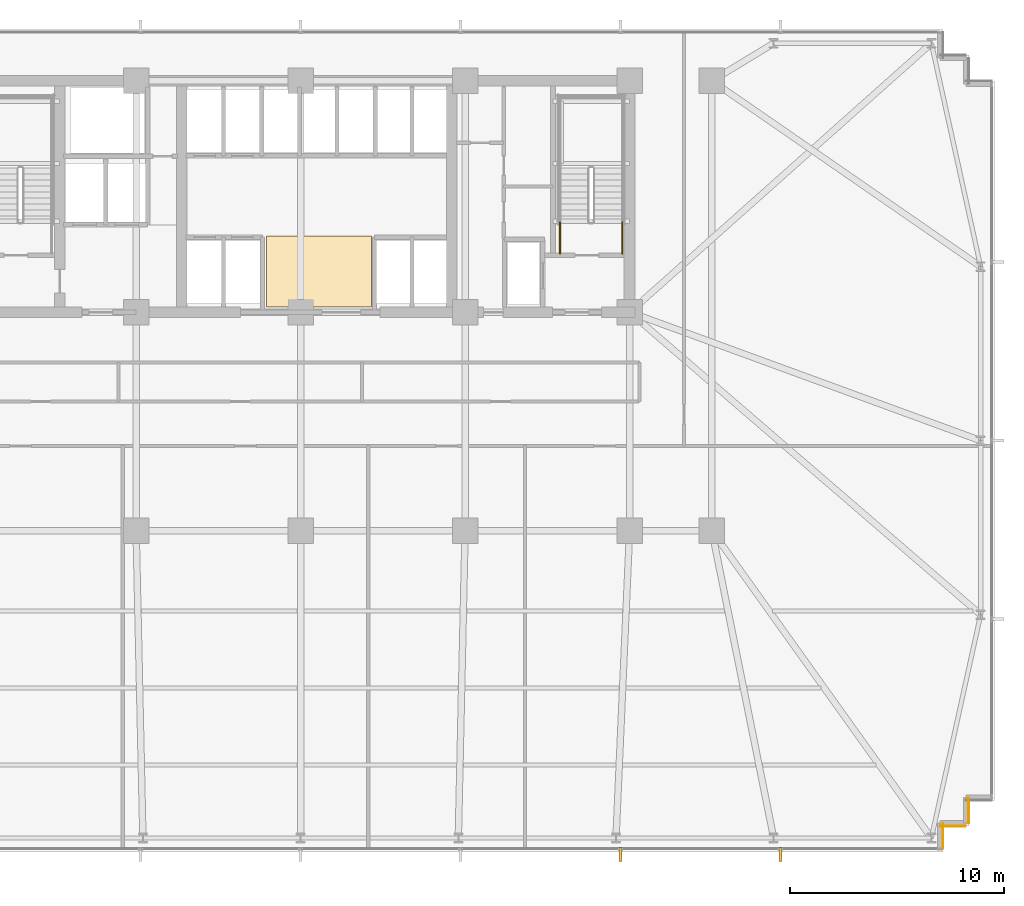
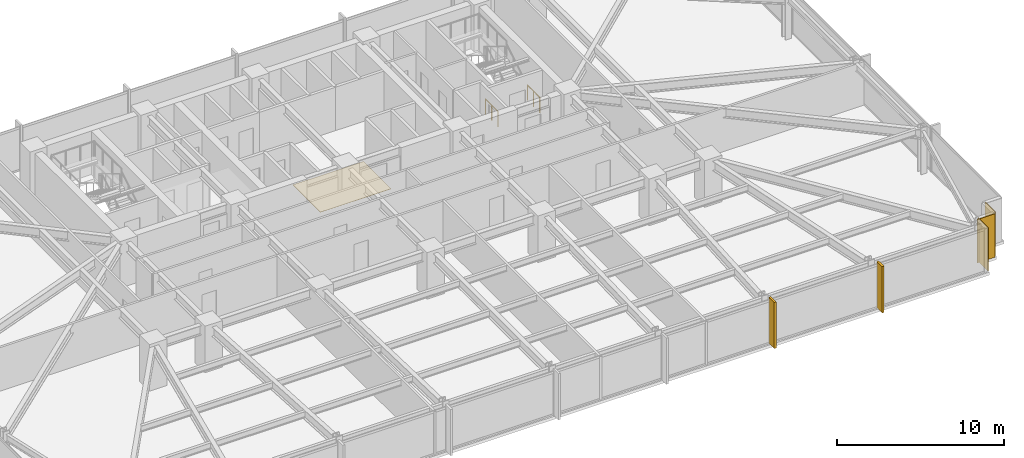
# One storey, part 29 of 33: 4 coverings, 2 railings, 2 shading devices.
"""IFC4 building model written with IfcOpenShell, lengths in metres."""

import ifcopenshell
import ifcopenshell.guid

model = None  # the IFC model being written
_history = None  # IfcOwnerHistory: only IFC2X3 demands one
_inside = {}  # id of a spatial element -> (the spatial element, [elements in it])
_under = {}  # id of a project, library or spatial element -> (it, [spatial elements below it])
_declared = {}  # id of a project -> (the project, [libraries it declares])
_typed = {}  # id of a type object -> (the type object, [elements of that type])
_made_of = {}  # id of a material, layer set ... -> (it, [elements and type objects made of it])


def new_model(schema):
    """Start an empty IFC model of exactly this schema.

    Asked for "IFC4X3", IfcOpenShell would pick the latest addendum, in which some entities
    have other attributes; the version numbers below select the first issue.
    IFC2X3 requires an IfcOwnerHistory on every rooted entity: one is made here for all.
    """
    global model, _history
    if schema == "IFC4X3":
        model = ifcopenshell.file(schema_version=(4, 3, 0, 0))
    else:
        model = ifcopenshell.file(schema=schema)
    _inside.clear()
    _under.clear()
    _declared.clear()
    _typed.clear()
    _made_of.clear()
    _history = None
    if model.schema == "IFC2X3":
        org = make("IfcOrganization", Name="unknown")
        user = make(
            "IfcPersonAndOrganization",
            ThePerson=make("IfcPerson", FamilyName="unknown"),
            TheOrganization=org,
        )
        app = make(
            "IfcApplication",
            ApplicationDeveloper=org,
            Version="unknown",
            ApplicationFullName="unknown",
            ApplicationIdentifier="unknown",
        )
        _history = make(
            "IfcOwnerHistory",
            OwningUser=user,
            OwningApplication=app,
            ChangeAction="ADDED",
            CreationDate=0,
        )
    return model


def make(cls, **values):
    """One entity of the class cls with the attributes given. An attribute that is None is left unset."""
    return model.create_entity(
        cls, **{name: value for name, value in values.items() if value is not None}
    )


def rooted(cls, **values):
    """An entity with a GlobalId (a new one), such as an element, a storey or a relation."""
    return make(cls, GlobalId=ifcopenshell.guid.new(), OwnerHistory=_history, **values)


def si_unit(unit_type, name, prefix=None):
    """IfcSIUnit, for example si_unit("LENGTHUNIT", "METRE", prefix="MILLI")."""
    return make("IfcSIUnit", UnitType=unit_type, Prefix=prefix, Name=name)


def assignment(units):
    """IfcUnitAssignment: the units of a project."""
    return None if units is None else make("IfcUnitAssignment", Units=units)


def point(xyz):
    """IfcCartesianPoint."""
    return None if xyz is None else make("IfcCartesianPoint", Coordinates=xyz)


def direction(xyz):
    """IfcDirection."""
    return None if xyz is None else make("IfcDirection", DirectionRatios=xyz)


def frame(location, z_axis=None, x_axis=None):
    """IfcAxis2Placement3D, a coordinate frame: its origin and axes. An axis left out is left unset."""
    return make(
        "IfcAxis2Placement3D",
        Location=point(location),
        Axis=direction(z_axis),
        RefDirection=direction(x_axis),
    )


def frame_2d(location, x_axis=None):
    """IfcAxis2Placement2D, a coordinate frame in the plane: its origin and x axis."""
    return make(
        "IfcAxis2Placement2D", Location=point(location), RefDirection=direction(x_axis)
    )


def origin():
    """The frame at (0, 0, 0) with its axes left unset."""
    return frame((0.0, 0.0, 0.0))


def origin_2d():
    """The frame at (0, 0) in the plane with its x axis left unset."""
    return frame_2d((0.0, 0.0))


def place(relative_to, where):
    """IfcLocalPlacement: puts the frame where relative to a parent placement (None: the world)."""
    return make(
        "IfcLocalPlacement", PlacementRelTo=relative_to, RelativePlacement=where
    )


def context(
    kind, dimensions, precision=None, world=None, true_north=None, identifier=None
):
    """IfcGeometricRepresentationContext, for example the 3D "Model" context."""
    return make(
        "IfcGeometricRepresentationContext",
        ContextIdentifier=identifier,
        ContextType=kind,
        CoordinateSpaceDimension=dimensions,
        Precision=precision,
        WorldCoordinateSystem=world,
        TrueNorth=true_north,
    )


def subcontext(parent, identifier, kind, view, scale=None):
    """IfcGeometricRepresentationSubContext, for example "Body" below "Model"."""
    return make(
        "IfcGeometricRepresentationSubContext",
        ContextIdentifier=identifier,
        ContextType=kind,
        ParentContext=parent,
        TargetScale=scale,
        TargetView=view,
    )


def project(units=None, contexts=None):
    """IfcProject with its units and contexts."""
    return rooted(
        "IfcProject",
        Name="project",
        RepresentationContexts=contexts,
        UnitsInContext=assignment(units),
    )


def spatial(cls, under=None, at=None, **own):
    """A site, building, storey or space (cls), placed at a placement, below another one or the project."""
    s = rooted(cls, ObjectPlacement=at, **own)
    if under is not None:
        _under.setdefault(under.id(), (under, []))[1].append(s)
    return s


def polyline(points):
    """IfcPolyline through the points."""
    return make("IfcPolyline", Points=[point(p) for p in points])


def profile(cls, at=None, kind="AREA", **sizes):
    """A parametric profile (cls). Its sizes go by their IFC names, for example OverallWidth=200.0."""
    return make(cls, ProfileType=kind, Position=at, **sizes)


def rectangle(**sizes):
    """IfcRectangleProfileDef."""
    return profile("IfcRectangleProfileDef", **sizes)


def circle(**sizes):
    """IfcCircleProfileDef."""
    return profile("IfcCircleProfileDef", **sizes)


def outline(outer, holes=None, kind="AREA"):
    """IfcArbitraryClosedProfileDef: a profile drawn as a closed curve; with holes, ...WithVoids."""
    if holes is None:
        return make("IfcArbitraryClosedProfileDef", ProfileType=kind, OuterCurve=outer)
    return make(
        "IfcArbitraryProfileDefWithVoids",
        ProfileType=kind,
        OuterCurve=outer,
        InnerCurves=holes,
    )


def extrude(swept, where, along, depth):
    """IfcExtrudedAreaSolid: the profile swept, set in the frame where, extruded along a direction by depth."""
    return make(
        "IfcExtrudedAreaSolid",
        SweptArea=swept,
        Position=where,
        ExtrudedDirection=direction(along),
        Depth=depth,
    )


def shape(context_of_items, identifier, shape_type, items):
    """IfcShapeRepresentation: the items that make up one representation, for example the "Body"."""
    return make(
        "IfcShapeRepresentation",
        ContextOfItems=context_of_items,
        RepresentationIdentifier=identifier,
        RepresentationType=shape_type,
        Items=items,
    )


def material(Name=None, Category=None):
    """IfcMaterial."""
    return make("IfcMaterial", Name=Name, Category=Category)


def layer(
    of_material, thickness, ventilated=None, Name=None, Category=None, Priority=None
):
    """IfcMaterialLayer: one layer of a wall or slab, of a material (None: an air gap)."""
    return make(
        "IfcMaterialLayer",
        Material=of_material,
        LayerThickness=thickness,
        IsVentilated=ventilated,
        Name=Name,
        Category=Category,
        Priority=Priority,
    )


def layer_set(layers, Name=None):
    """IfcMaterialLayerSet."""
    return make("IfcMaterialLayerSet", MaterialLayers=layers, LayerSetName=Name)


def made_of(thing, what):
    """Note that an element or type object is made of a material, layer set ...; save() writes the relation."""
    if what is not None:
        _made_of.setdefault(what.id(), (what, []))[1].append(thing)
    return thing


def type_object(cls, material=None, **own):
    """A type object (cls), such as IfcWallType, which elements share."""
    return made_of(rooted(cls, **own), material)


def element(
    cls,
    number,
    at=None,
    inside=None,
    cuts=None,
    type_object=None,
    material=None,
    context=None,
    identifier="Body",
    shape_type=None,
    held_by="IfcProductDefinitionShape",
    body=None,
    shapes=None,
    **own,
):
    """One element of the class cls, such as IfcWall. Its Tag is "e" and its number.

    at: its placement. inside: the storey or other place that contains it. cuts: it is an
    opening in that element (IfcRelVoidsElement). A single representation is given by context,
    identifier, shape_type and body (its items); several are given by shapes. held_by: the class
    of the entity that holds the representations. save() writes the other relations.
    """
    e = rooted(cls, Tag="e%d" % number, ObjectPlacement=at, **own)
    if body is not None:
        shapes = [shape(context, identifier, shape_type, body)]
    if shapes is not None:
        e.Representation = make(held_by, Representations=shapes)
    if inside is not None:
        _inside.setdefault(inside.id(), (inside, []))[1].append(e)
    if cuts is not None:
        rooted(
            "IfcRelVoidsElement", RelatingBuildingElement=cuts, RelatedOpeningElement=e
        )
    if type_object is not None:
        _typed.setdefault(type_object.id(), (type_object, []))[1].append(e)
    return made_of(e, material)


def aggregate(whole, parts):
    """IfcRelAggregates: a whole, such as a stair, and the parts it consists of."""
    return rooted("IfcRelAggregates", RelatingObject=whole, RelatedObjects=parts)


def save(model, path):
    """Write the relations noted so far, then the file.

    IfcRelAggregates (storeys below a building ...), IfcRelContainedInSpatialStructure (elements
    in a storey), IfcRelDefinesByType, IfcRelAssociatesMaterial and IfcRelDeclares: one each for
    every whole, place, type object, material and project.
    """
    for whole, parts in _under.values():
        aggregate(whole, parts)
    for where, things in _inside.values():
        rooted(
            "IfcRelContainedInSpatialStructure",
            RelatedElements=things,
            RelatingStructure=where,
        )
    for kind, things in _typed.values():
        rooted("IfcRelDefinesByType", RelatedObjects=things, RelatingType=kind)
    for what, things in _made_of.values():
        rooted("IfcRelAssociatesMaterial", RelatedObjects=things, RelatingMaterial=what)
    for by, libraries in _declared.values():
        rooted("IfcRelDeclares", RelatingContext=by, RelatedDefinitions=libraries)
    model.write(path)


model = new_model("IFC4")

# Units and contexts
model_context = context("Model", 3, precision=1e-05, world=origin(), true_north=direction((0.0, 1.0)))
body_context = subcontext(model_context, "Body", "Model", "MODEL_VIEW")
ifc_project = project(units=[si_unit("LENGTHUNIT", "METRE"), si_unit("AREAUNIT", "SQUARE_METRE"), si_unit("VOLUMEUNIT", "CUBIC_METRE"), si_unit("PLANEANGLEUNIT", "RADIAN"), si_unit("MASSUNIT", "GRAM", prefix="KILO")], contexts=[model_context])

# Site, building, storey
site_placement = place(None, origin())
site = spatial("IfcSite", under=ifc_project, at=site_placement, CompositionType="ELEMENT")
building_placement = place(site_placement, origin())
building = spatial("IfcBuilding", under=site, at=building_placement, Name="Yelkora Congress Tower", CompositionType="ELEMENT")
storey_placement = place(building_placement, frame((0.0, 0.0, 64.39990234375)))
storey = spatial("IfcBuildingStorey", under=building, at=storey_placement, Name="L16", CompositionType="ELEMENT", Elevation=64.39990234375)

# Coverings
ifc_material_1 = material(Name="Anatolian bush-hammered limestone", Category="masonry")
ifc_layer_1 = layer(ifc_material_1, 0.0400390625)
ifc_layer_set_1 = layer_set([ifc_layer_1], Name="Anatolian bush-hammered limestone")
covering_type_1 = type_object("IfcCoveringType", Name="COV-CLAD-SPANDREL-40", PredefinedType="CLADDING", material=ifc_layer_set_1)
for number, where, z_axis, x_axis, name in (
    (1, (69.594970703125, 12.739990234375, 0.0), (0.0, 0.0, 1.0), (0.0, -1.0, 0.0), "L16 Anatolian Limestone Cladding EW-L16-SR17"),
    (2, (69.4599609375, 11.405029296875, 0.0), (0.0, 0.0, 1.0), (-1.0, 0.0, 0.0), "L16 Anatolian Limestone Cladding EW-L16-SR18"),
    (3, (68.39501953125, 11.5400390625, 0.0), (0.0, 0.0, 1.0), (0.0, -1.0, 0.0), "L16 Anatolian Limestone Cladding EW-L16-SR19"),
):
    element("IfcCovering", number, at=place(storey_placement, frame(where, z_axis=z_axis, x_axis=x_axis)), inside=storey, type_object=covering_type_1, Name=name, PredefinedType="CLADDING", context=body_context, shape_type="SweptSolid", body=[
        extrude(rectangle(XDim=1.199951171875, YDim=0.0400390625, at=frame_2d((0.60009765625, 0.0))), origin(), (0.0, 0.0, 1.0), 3.18017578125),
    ])
ifc_material_2 = material(Name="Polished Anatolian grey granite tile", Category="masonry")
ifc_layer_2 = layer(ifc_material_2, 0.02001953125)
ifc_layer_set_2 = layer_set([ifc_layer_2], Name="Polished Anatolian grey granite tile")
covering_type_2 = type_object("IfcCoveringType", Name="COV-FLOOR-GRANITE-20", PredefinedType="FLOORING", material=ifc_layer_set_2)
covering_placement = place(storey_placement, origin())
element("IfcCovering", 4, at=covering_placement, inside=storey, type_object=covering_type_2, Name="L16 Lift Lobby Granite Flooring", PredefinedType="FLOORING", context=body_context, shape_type="SweptSolid", body=[
    extrude(outline(polyline([(36.800048828125, 35.64990234375), (41.699951171875, 35.64990234375), (41.699951171875, 38.949951171875), (36.800048828125, 38.949951171875), (36.800048828125, 35.64990234375)])), origin(), (0.0, 0.0, 1.0), 0.02001953125),
])

# Railings
ifc_material_3 = material(Name="Painted galvanised steel stair well guard with vertical infill", Category="steel")
ifc_layer_3 = layer(ifc_material_3, 0.06005859375)
ifc_layer_set_3 = layer_set([ifc_layer_3], Name="Painted galvanised steel stair well guard with vertical infill")
railing_type = type_object("IfcRailingType", Name="RAIL-STAIR-GUARD-1120", PredefinedType="GUARDRAIL", material=ifc_layer_set_3)
for number, where, name in (
    (5, (53.409912109375, 38.1201171875, 0.0), "ST-02 L16 Stair Well Guardrail 8"),
    (6, (50.510009765625, 38.1201171875, 0.0), "ST-02 L16 Stair Well Guardrail 9"),
):
    element("IfcRailing", number, at=place(storey_placement, frame(where)), inside=storey, type_object=railing_type, Name=name, PredefinedType="GUARDRAIL", context=body_context, shape_type="SweptSolid", body=[
        extrude(circle(Radius=0.02392578125, at=origin_2d()), frame((0.0, 0.0, 1.09619140625), z_axis=(0.0, 1.0, 0.0), x_axis=(-1.0, 0.0, 0.0)), (0.0, 0.0, 1.0), 1.47998046875),
        extrude(circle(Radius=0.02099609375, at=origin_2d()), origin(), (0.0, 0.0, 1.0), 1.072021484375),
        extrude(circle(Radius=0.02099609375, at=origin_2d()), frame((0.0, 0.739990234375, 0.0)), (0.0, 0.0, 1.0), 1.072021484375),
        extrude(circle(Radius=0.02099609375, at=origin_2d()), frame((0.0, 1.47998046875, 0.0)), (0.0, 0.0, 1.0), 1.072021484375),
    ])

# Shading devices
ifc_material_4 = material(Name="Champagne anodised aluminium", Category="aluminium")
ifc_layer_4 = layer(ifc_material_4, 3.39990234375)
ifc_layer_set_4 = layer_set([ifc_layer_4], Name="Champagne anodised aluminium")
shading_device_type = type_object("IfcShadingDeviceType", Name="SHD-FIN-ALU-640", PredefinedType="USERDEFINED", material=ifc_layer_set_4)
for number, where, z_axis, x_axis, name in (
    (7, (60.794921875, 10.080078125, -0.02978515625), (0.0, 0.0, 1.0), (-1.0, 0.0, 0.0), "L16 Vertical Anodised Solar Fin 20-1"),
    (8, (53.330078125, 10.080078125, -0.02978515625), (0.0, 0.0, 1.0), (-1.0, 0.0, 0.0), "L16 Vertical Anodised Solar Fin 20-2"),
):
    element("IfcShadingDevice", number, at=place(storey_placement, frame(where, z_axis=z_axis, x_axis=x_axis)), inside=storey, type_object=shading_device_type, Name=name, ObjectType="FIN", PredefinedType="USERDEFINED", context=body_context, shape_type="SweptSolid", body=[
        extrude(rectangle(XDim=0.139892578125, YDim=0.639892578125, at=origin_2d()), origin(), (0.0, 0.0, 1.0), 3.3798828125),
    ])

save(model, "model.ifc")
